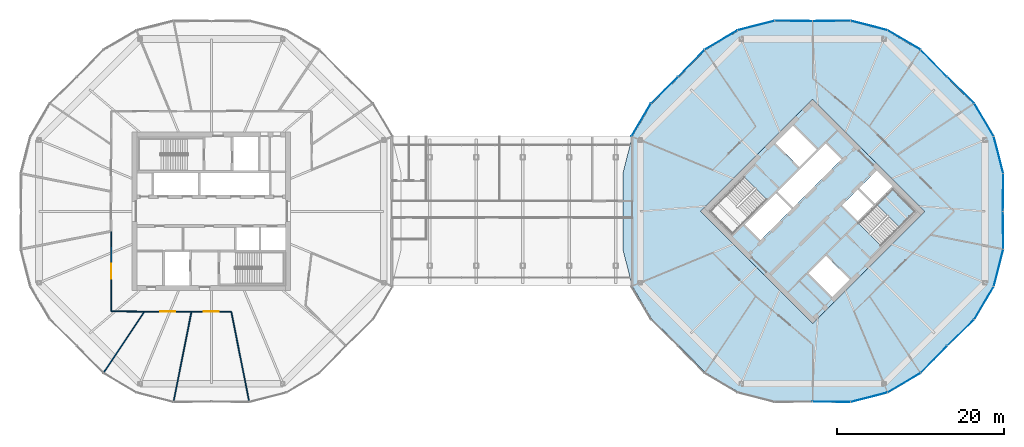
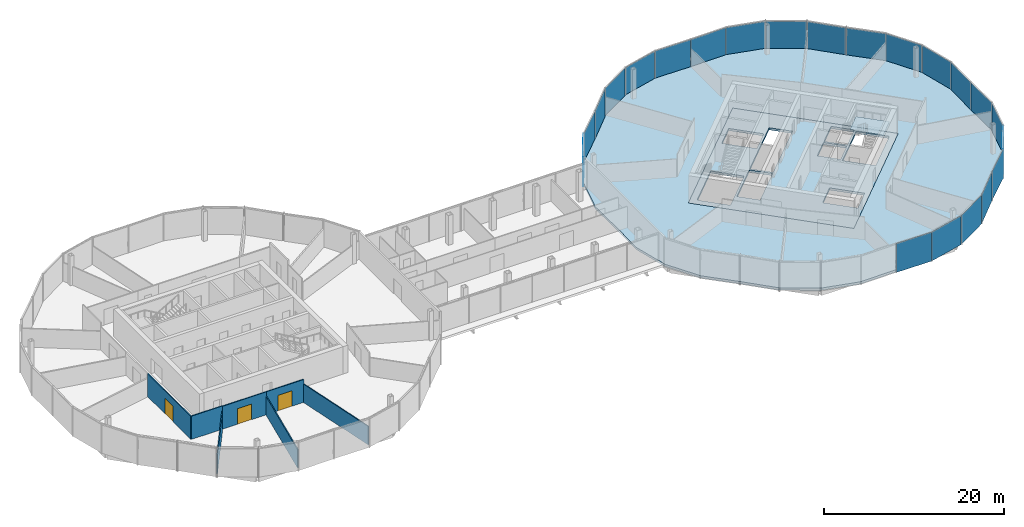
# One storey, part 18 of 25: 22 plates, 7 walls, 3 doors, 3 slabs, 3 openings, 7 elements without a shape of their own.
"""IFC4 building model written with IfcOpenShell, lengths in metres."""

from ifc_helpers import new_model, si_unit, direction, frame, frame_2d, origin, origin_2d, place, context, subcontext, project, spatial, polyline, rectangle, outline, extrude, material, layer, layer_set, type_object, element, fill, aggregate, save


model = new_model("IFC4")

# Units and contexts
model_context = context("Model", 3, precision=1e-05, world=origin(), true_north=direction((0.0, 1.0)))
body_context = subcontext(model_context, "Body", "Model", "MODEL_VIEW")
ifc_project = project(units=[si_unit("LENGTHUNIT", "METRE"), si_unit("AREAUNIT", "SQUARE_METRE"), si_unit("VOLUMEUNIT", "CUBIC_METRE"), si_unit("PLANEANGLEUNIT", "RADIAN"), si_unit("MASSUNIT", "GRAM", prefix="KILO")], contexts=[model_context])

# Site, building, storey
site_placement = place(None, origin())
site = spatial("IfcSite", under=ifc_project, at=site_placement, CompositionType="ELEMENT")
building_placement = place(site_placement, origin())
building = spatial("IfcBuilding", under=site, at=building_placement, Name="Ogive Gate Towers", CompositionType="ELEMENT")
storey_placement = place(building_placement, frame((0.0, 0.0, 140.800048828125)))
storey = spatial("IfcBuildingStorey", under=building, at=storey_placement, Name="L33", CompositionType="ELEMENT", Elevation=140.800048828125)

# Slabs
ifc_material_1 = material(Name="Concrete C40/50", Category="concrete")
ifc_layer_1 = layer(ifc_material_1, 0.300048828125)
ifc_layer_set_1 = layer_set([ifc_layer_1], Name="Core slab C40/50 300 mm")
slab_type_1 = type_object("IfcSlabType", Name="Core slab C40/50 300 mm", PredefinedType="FLOOR", material=ifc_layer_set_1)
slab_1_placement = place(storey_placement, frame((0.0, 0.0, -0.300048828125)))
element("IfcSlab", 1, at=slab_1_placement, inside=storey, type_object=slab_type_1, Name="T2 L33 core slab", PredefinedType="FLOOR", context=body_context, shape_type="SweptSolid", body=[
    extrude(outline(polyline([(36.0, -13.43505859375), (22.56494140625, 0.0), (36.0, 13.43505859375), (49.43505859375, 0.0), (36.0, -13.43505859375)]), holes=[polyline([(29.759765625, -3.482421875), (33.50732421875, 0.26513671875), (31.615966796875, 2.15673828125), (27.868408203125, -1.591064453125), (29.759765625, -3.482421875)]), polyline([(31.792724609375, 2.33349609375), (33.68408203125, 0.44189453125), (39.482421875, 6.240234375), (37.591064453125, 8.131591796875), (31.792724609375, 2.33349609375)]), polyline([(41.3916015625, 2.634033203125), (39.517822265625, 0.760009765625), (41.409423828125, -1.13134765625), (43.283203125, 0.742431640625), (41.3916015625, 2.634033203125)]), polyline([(45.563720703125, 3.02294921875), (43.672119140625, 4.914306640625), (41.568603515625, 2.810791015625), (43.4599609375, 0.919189453125), (45.563720703125, 3.02294921875)]), polyline([(34.408935546875, 5.30322265625), (36.4951171875, 7.389404296875), (33.64892578125, 10.2353515625), (31.56298828125, 8.1494140625), (34.408935546875, 5.30322265625)]), polyline([(35.5048828125, -7.389404296875), (38.35107421875, -10.2353515625), (40.43701171875, -8.1494140625), (37.591064453125, -5.30322265625), (35.5048828125, -7.389404296875)]), polyline([(26.40087890625, -2.70458984375), (30.512939453125, 1.406982421875), (27.80810546875, 4.11181640625), (23.6962890625, 0.0), (26.40087890625, -2.70458984375)]), polyline([(48.3037109375, 0.0), (45.59912109375, 2.70458984375), (41.487060546875, -1.406982421875), (44.19189453125, -4.11181640625), (48.3037109375, 0.0)])]), origin(), (0.0, 0.0, 1.0), 0.300048828125),
])
ifc_material_2 = material(Name="Concrete C35/45", Category="concrete")
ifc_layer_2 = layer(ifc_material_2, 0.300048828125)
ifc_layer_set_2 = layer_set([ifc_layer_2], Name="Floor slab 300")
slab_type_2 = type_object("IfcSlabType", Name="Floor slab 300", PredefinedType="FLOOR", material=ifc_layer_set_2)
slab_2_placement = place(storey_placement, frame((0.0, 0.0, -0.300048828125)))
element("IfcSlab", 2, at=slab_2_placement, inside=storey, type_object=slab_type_2, Name="T2/L33/SSL001", PredefinedType="FLOOR", context=body_context, shape_type="SweptSolid", body=[
    extrude(outline(polyline([(58.734619140625, -4.522216796875), (58.679931640625, 0.0), (58.734619140625, 4.522216796875), (57.600341796875, 8.947021484375), (55.2734375, 12.878173828125), (52.037109375, 16.037109375), (48.878173828125, 19.2734375), (44.947021484375, 21.600341796875), (40.522216796875, 22.734619140625), (36.0, 22.679931640625), (31.477783203125, 22.734619140625), (27.052978515625, 21.600341796875), (23.121826171875, 19.2734375), (19.962890625, 16.037109375), (16.7265625, 12.878173828125), (14.399658203125, 8.947021484375), (13.265380859375, 4.522216796875), (13.320068359375, 0.0), (13.265380859375, -4.522216796875), (14.399658203125, -8.947021484375), (16.7265625, -12.878173828125), (19.962890625, -16.037109375), (23.121826171875, -19.2734375), (27.052978515625, -21.600341796875), (31.477783203125, -22.734619140625), (36.0, -22.679931640625), (40.522216796875, -22.734619140625), (44.947021484375, -21.600341796875), (48.878173828125, -19.2734375), (52.037109375, -16.037109375), (55.2734375, -12.878173828125), (57.600341796875, -8.947021484375), (58.734619140625, -4.522216796875)]), holes=[polyline([(49.43505859375, 0.0), (36.0, -13.43505859375), (22.56494140625, 0.0), (36.0, 13.43505859375), (49.43505859375, 0.0)])]), origin(), (0.0, 0.0, 1.0), 0.300048828125),
])

# Stair, slab
stair_type = type_object("IfcStairType", Name="Escape stair 1840 wide", PredefinedType="HALF_TURN_STAIR", material=ifc_material_1)
stair_placement = place(storey_placement, origin())
stair = element("IfcStair", 3, at=stair_placement, inside=storey, type_object=stair_type, Name="L33 Escape stair 2", PredefinedType="HALF_TURN_STAIR")
ifc_layer_3 = layer(ifc_material_1, 0.199951171875)
ifc_layer_set_3 = layer_set([ifc_layer_3], Name="Stair landing 200 mm")
slab_type_3 = type_object("IfcSlabType", Name="Stair landing 200 mm", PredefinedType="LANDING", material=ifc_layer_set_3)
slab_3_placement = place(storey_placement, frame((0.0, 0.0, 1.800048828125)))
slab_3 = element("IfcSlab", 4, at=slab_3_placement, type_object=slab_type_3, Name="ST2 landing 1", PredefinedType="LANDING", context=body_context, shape_type="SweptSolid", body=[
    extrude(outline(polyline([(46.413818359375, -1.8896484375), (48.3037109375, 0.0), (45.598876953125, 2.70458984375), (43.709228515625, 0.81494140625), (46.413818359375, -1.8896484375)])), origin(), (0.0, 0.0, 1.0), 0.199951171875),
])
aggregate(stair, [slab_3])

# Curtain wall, plates
ifc_material_3 = material(Name="Pale metal aluminium", Category="aluminium")
curtain_wall_type = type_object("IfcCurtainWallType", Name="Tower unitised wall, high zone", PredefinedType="NOTDEFINED", material=ifc_material_3)
curtain_wall_1_placement = place(storey_placement, origin())
curtain_wall_1 = element("IfcCurtainWall", 5, at=curtain_wall_1_placement, inside=storey, type_object=curtain_wall_type, Name="CW2 T2 ECW01", PredefinedType="NOTDEFINED")
ifc_material_4 = material(Name="Clear glass", Category="glass")
ifc_layer_4 = layer(ifc_material_4, 0.028076171875)
ifc_layer_set_4 = layer_set([ifc_layer_4], Name="Tower unitised wall, high zone glass panel")
plate_type = type_object("IfcPlateType", Name="Tower unitised wall, high zone glass panel", PredefinedType="CURTAIN_PANEL", material=ifc_layer_set_4)
plate_1_placement = place(storey_placement, frame((58.807373046875, 2.26513671875, -0.30029296875), z_axis=(0.0, 0.0, 1.0), x_axis=(0.012077384797, 0.999927065729, 0.0)))
plate_1 = element("IfcPlate", 6, at=plate_1_placement, type_object=plate_type, Name="CW2 glass panel", PredefinedType="CURTAIN_PANEL", context=body_context, shape_type="SweptSolid", body=[
    extrude(rectangle(XDim=4.476806640625, YDim=0.028076171875, at=origin_2d()), origin(), (0.0, 0.0, 1.0), 3.904052734375),
])
plate_2_placement = place(storey_placement, frame((58.26416015625, 6.760009765625, -0.30029296875), z_axis=(0.0, 0.0, 1.0), x_axis=(-0.248334866199, 0.968674245673, 0.0)))
plate_2 = element("IfcPlate", 7, at=plate_2_placement, type_object=plate_type, Name="CW2 glass panel", PredefinedType="CURTAIN_PANEL", context=body_context, shape_type="SweptSolid", body=[
    extrude(rectangle(XDim=4.53369140625, YDim=0.028076171875, at=origin_2d()), origin(), (0.0, 0.0, 1.0), 3.904052734375),
])
plate_3_placement = place(storey_placement, frame((56.523193359375, 10.963134765625, -0.30029296875), z_axis=(0.0, 0.0, 1.0), x_axis=(-0.509371879429, 0.860546505685, 0.0)))
plate_3 = element("IfcPlate", 8, at=plate_3_placement, type_object=plate_type, Name="CW2 glass panel", PredefinedType="CURTAIN_PANEL", context=body_context, shape_type="SweptSolid", body=[
    extrude(rectangle(XDim=4.53369140625, YDim=0.028076171875, at=origin_2d()), origin(), (0.0, 0.0, 1.0), 3.904052734375),
])
plate_4_placement = place(storey_placement, frame((53.72900390625, 14.525390625, -0.30029296875), z_axis=(0.0, 0.0, 1.0), x_axis=(-0.715595209557, 0.69851520818, 0.0)))
plate_4 = element("IfcPlate", 9, at=plate_4_placement, type_object=plate_type, Name="CW2 glass panel", PredefinedType="CURTAIN_PANEL", context=body_context, shape_type="SweptSolid", body=[
    extrude(rectangle(XDim=4.476806640625, YDim=0.028076171875, at=origin_2d()), origin(), (0.0, 0.0, 1.0), 3.904052734375),
])
aggregate(curtain_wall_1, [plate_1, plate_2, plate_3, plate_4])

curtain_wall_2_placement = place(storey_placement, origin())
curtain_wall_2 = element("IfcCurtainWall", 10, at=curtain_wall_2_placement, inside=storey, type_object=curtain_wall_type, Name="CW2 T2 ECW02", PredefinedType="NOTDEFINED")
plate_5_placement = place(storey_placement, frame((50.525390625, 17.72900390625, -0.30029296875), z_axis=(0.0, 0.0, 1.0), x_axis=(-0.69851520818, 0.715595209557, 0.0)))
plate_5 = element("IfcPlate", 11, at=plate_5_placement, type_object=plate_type, Name="CW2 glass panel", PredefinedType="CURTAIN_PANEL", context=body_context, shape_type="SweptSolid", body=[
    extrude(rectangle(XDim=4.476806640625, YDim=0.028076171875, at=origin_2d()), origin(), (0.0, 0.0, 1.0), 3.904052734375),
])
plate_6_placement = place(storey_placement, frame((46.963134765625, 20.523193359375, -0.30029296875), z_axis=(0.0, 0.0, 1.0), x_axis=(-0.860546505685, 0.509371879429, 0.0)))
plate_6 = element("IfcPlate", 12, at=plate_6_placement, type_object=plate_type, Name="CW2 glass panel", PredefinedType="CURTAIN_PANEL", context=body_context, shape_type="SweptSolid", body=[
    extrude(rectangle(XDim=4.53369140625, YDim=0.028076171875, at=origin_2d()), origin(), (0.0, 0.0, 1.0), 3.904052734375),
])
plate_7_placement = place(storey_placement, frame((42.760009765625, 22.26416015625, -0.30029296875), z_axis=(0.0, 0.0, 1.0), x_axis=(-0.968674245673, 0.248334866199, 0.0)))
plate_7 = element("IfcPlate", 13, at=plate_7_placement, type_object=plate_type, Name="CW2 glass panel", PredefinedType="CURTAIN_PANEL", context=body_context, shape_type="SweptSolid", body=[
    extrude(rectangle(XDim=4.53369140625, YDim=0.028076171875, at=origin_2d()), origin(), (0.0, 0.0, 1.0), 3.904052734375),
])
plate_8_placement = place(storey_placement, frame((38.26513671875, 22.807373046875, -0.30029296875), z_axis=(0.0, 0.0, 1.0), x_axis=(-0.999927065729, -0.012077384797, 0.0)))
plate_8 = element("IfcPlate", 14, at=plate_8_placement, type_object=plate_type, Name="CW2 glass panel", PredefinedType="CURTAIN_PANEL", context=body_context, shape_type="SweptSolid", body=[
    extrude(rectangle(XDim=4.476806640625, YDim=0.028076171875, at=origin_2d()), origin(), (0.0, 0.0, 1.0), 3.904052734375),
])
aggregate(curtain_wall_2, [plate_5, plate_6, plate_7, plate_8])

curtain_wall_3_placement = place(storey_placement, origin())
curtain_wall_3 = element("IfcCurtainWall", 15, at=curtain_wall_3_placement, inside=storey, type_object=curtain_wall_type, Name="CW2 T2 ECW03", PredefinedType="NOTDEFINED")
plate_9_placement = place(storey_placement, frame((33.73486328125, 22.807373046875, -0.30029296875), z_axis=(0.0, 0.0, 1.0), x_axis=(-0.999927065729, 0.012077384797, 0.0)))
plate_9 = element("IfcPlate", 16, at=plate_9_placement, type_object=plate_type, Name="CW2 glass panel", PredefinedType="CURTAIN_PANEL", context=body_context, shape_type="SweptSolid", body=[
    extrude(rectangle(XDim=4.476806640625, YDim=0.028076171875, at=origin_2d()), origin(), (0.0, 0.0, 1.0), 3.904052734375),
])
plate_10_placement = place(storey_placement, frame((29.239990234375, 22.26416015625, -0.30029296875), z_axis=(0.0, 0.0, 1.0), x_axis=(-0.968674245673, -0.248334866199, 0.0)))
plate_10 = element("IfcPlate", 17, at=plate_10_placement, type_object=plate_type, Name="CW2 glass panel", PredefinedType="CURTAIN_PANEL", context=body_context, shape_type="SweptSolid", body=[
    extrude(rectangle(XDim=4.53369140625, YDim=0.028076171875, at=origin_2d()), origin(), (0.0, 0.0, 1.0), 3.904052734375),
])
plate_11_placement = place(storey_placement, frame((25.036865234375, 20.523193359375, -0.30029296875), z_axis=(0.0, 0.0, 1.0), x_axis=(-0.860546505685, -0.509371879429, 0.0)))
plate_11 = element("IfcPlate", 18, at=plate_11_placement, type_object=plate_type, Name="CW2 glass panel", PredefinedType="CURTAIN_PANEL", context=body_context, shape_type="SweptSolid", body=[
    extrude(rectangle(XDim=4.53369140625, YDim=0.028076171875, at=origin_2d()), origin(), (0.0, 0.0, 1.0), 3.904052734375),
])
plate_12_placement = place(storey_placement, frame((21.474609375, 17.72900390625, -0.30029296875), z_axis=(0.0, 0.0, 1.0), x_axis=(-0.69851520818, -0.715595209557, 0.0)))
plate_12 = element("IfcPlate", 19, at=plate_12_placement, type_object=plate_type, Name="CW2 glass panel", PredefinedType="CURTAIN_PANEL", context=body_context, shape_type="SweptSolid", body=[
    extrude(rectangle(XDim=4.476806640625, YDim=0.028076171875, at=origin_2d()), origin(), (0.0, 0.0, 1.0), 3.904052734375),
])
aggregate(curtain_wall_3, [plate_9, plate_10, plate_11, plate_12])

curtain_wall_4_placement = place(storey_placement, origin())
curtain_wall_4 = element("IfcCurtainWall", 20, at=curtain_wall_4_placement, inside=storey, type_object=curtain_wall_type, Name="CW2 T2 ECW04", PredefinedType="NOTDEFINED")
plate_13_placement = place(storey_placement, frame((18.27099609375, 14.525390625, -0.30029296875), z_axis=(0.0, 0.0, 1.0), x_axis=(-0.715595209557, -0.69851520818, 0.0)))
plate_13 = element("IfcPlate", 21, at=plate_13_placement, type_object=plate_type, Name="CW2 glass panel", PredefinedType="CURTAIN_PANEL", context=body_context, shape_type="SweptSolid", body=[
    extrude(rectangle(XDim=4.476806640625, YDim=0.028076171875, at=origin_2d()), origin(), (0.0, 0.0, 1.0), 3.904052734375),
])
plate_14_placement = place(storey_placement, frame((15.475830078125, 10.96142578125, -0.30029296875), z_axis=(0.0, 0.0, 1.0), x_axis=(-0.509371879429, -0.860546505685, 0.0)))
plate_14 = element("IfcPlate", 22, at=plate_14_placement, type_object=plate_type, Name="CW2 glass panel", PredefinedType="CURTAIN_PANEL", context=body_context, shape_type="SweptSolid", body=[
    extrude(rectangle(XDim=4.53759765625, YDim=0.028076171875, at=origin_2d()), origin(), (0.0, 0.0, 1.0), 3.904052734375),
])
aggregate(curtain_wall_4, [plate_13, plate_14])

curtain_wall_5_placement = place(storey_placement, origin())
curtain_wall_5 = element("IfcCurtainWall", 23, at=curtain_wall_5_placement, inside=storey, type_object=curtain_wall_type, Name="CW2 T2 ECW07", PredefinedType="NOTDEFINED")
plate_15_placement = place(storey_placement, frame((38.26513671875, -22.807373046875, -0.30029296875), z_axis=(0.0, 0.0, 1.0), x_axis=(0.999927065729, -0.012077384797, 0.0)))
plate_15 = element("IfcPlate", 24, at=plate_15_placement, type_object=plate_type, Name="CW2 glass panel", PredefinedType="CURTAIN_PANEL", context=body_context, shape_type="SweptSolid", body=[
    extrude(rectangle(XDim=4.476806640625, YDim=0.028076171875, at=origin_2d()), origin(), (0.0, 0.0, 1.0), 3.904052734375),
])
plate_16_placement = place(storey_placement, frame((42.760009765625, -22.26416015625, -0.30029296875), z_axis=(0.0, 0.0, 1.0), x_axis=(0.968674245673, 0.248334866199, 0.0)))
plate_16 = element("IfcPlate", 25, at=plate_16_placement, type_object=plate_type, Name="CW2 glass panel", PredefinedType="CURTAIN_PANEL", context=body_context, shape_type="SweptSolid", body=[
    extrude(rectangle(XDim=4.53369140625, YDim=0.028076171875, at=origin_2d()), origin(), (0.0, 0.0, 1.0), 3.904052734375),
])
plate_17_placement = place(storey_placement, frame((46.963134765625, -20.523193359375, -0.30029296875), z_axis=(0.0, 0.0, 1.0), x_axis=(0.860546505685, 0.509371879429, 0.0)))
plate_17 = element("IfcPlate", 26, at=plate_17_placement, type_object=plate_type, Name="CW2 glass panel", PredefinedType="CURTAIN_PANEL", context=body_context, shape_type="SweptSolid", body=[
    extrude(rectangle(XDim=4.53369140625, YDim=0.028076171875, at=origin_2d()), origin(), (0.0, 0.0, 1.0), 3.904052734375),
])
plate_18_placement = place(storey_placement, frame((50.525390625, -17.72900390625, -0.30029296875), z_axis=(0.0, 0.0, 1.0), x_axis=(0.69851520818, 0.715595209557, 0.0)))
plate_18 = element("IfcPlate", 27, at=plate_18_placement, type_object=plate_type, Name="CW2 glass panel", PredefinedType="CURTAIN_PANEL", context=body_context, shape_type="SweptSolid", body=[
    extrude(rectangle(XDim=4.476806640625, YDim=0.028076171875, at=origin_2d()), origin(), (0.0, 0.0, 1.0), 3.904052734375),
])
aggregate(curtain_wall_5, [plate_15, plate_16, plate_17, plate_18])

curtain_wall_6_placement = place(storey_placement, origin())
curtain_wall_6 = element("IfcCurtainWall", 28, at=curtain_wall_6_placement, inside=storey, type_object=curtain_wall_type, Name="CW2 T2 ECW08", PredefinedType="NOTDEFINED")
plate_19_placement = place(storey_placement, frame((53.72900390625, -14.525390625, -0.30029296875), z_axis=(0.0, 0.0, 1.0), x_axis=(0.715595209557, 0.69851520818, 0.0)))
plate_19 = element("IfcPlate", 29, at=plate_19_placement, type_object=plate_type, Name="CW2 glass panel", PredefinedType="CURTAIN_PANEL", context=body_context, shape_type="SweptSolid", body=[
    extrude(rectangle(XDim=4.476806640625, YDim=0.028076171875, at=origin_2d()), origin(), (0.0, 0.0, 1.0), 3.904052734375),
])
plate_20_placement = place(storey_placement, frame((56.523193359375, -10.963134765625, -0.30029296875), z_axis=(0.0, 0.0, 1.0), x_axis=(0.509371879429, 0.860546505685, 0.0)))
plate_20 = element("IfcPlate", 30, at=plate_20_placement, type_object=plate_type, Name="CW2 glass panel", PredefinedType="CURTAIN_PANEL", context=body_context, shape_type="SweptSolid", body=[
    extrude(rectangle(XDim=4.53369140625, YDim=0.028076171875, at=origin_2d()), origin(), (0.0, 0.0, 1.0), 3.904052734375),
])
plate_21_placement = place(storey_placement, frame((58.26416015625, -6.760009765625, -0.30029296875), z_axis=(0.0, 0.0, 1.0), x_axis=(0.248334866199, 0.968674245673, 0.0)))
plate_21 = element("IfcPlate", 31, at=plate_21_placement, type_object=plate_type, Name="CW2 glass panel", PredefinedType="CURTAIN_PANEL", context=body_context, shape_type="SweptSolid", body=[
    extrude(rectangle(XDim=4.53369140625, YDim=0.028076171875, at=origin_2d()), origin(), (0.0, 0.0, 1.0), 3.904052734375),
])
plate_22_placement = place(storey_placement, frame((58.807373046875, -2.26513671875, -0.30029296875), z_axis=(0.0, 0.0, 1.0), x_axis=(-0.012077384797, 0.999927065729, 0.0)))
plate_22 = element("IfcPlate", 32, at=plate_22_placement, type_object=plate_type, Name="CW2 glass panel", PredefinedType="CURTAIN_PANEL", context=body_context, shape_type="SweptSolid", body=[
    extrude(rectangle(XDim=4.476806640625, YDim=0.028076171875, at=origin_2d()), origin(), (0.0, 0.0, 1.0), 3.904052734375),
])
aggregate(curtain_wall_6, [plate_19, plate_20, plate_21, plate_22])

# Walls
ifc_material_5 = material(Name="Gypsum board partition")
ifc_layer_5 = layer(ifc_material_5, 0.125)
ifc_layer_set_5 = layer_set([ifc_layer_5], Name="Partition 125")
wall_type = type_object("IfcWallType", Name="Partition 125", PredefinedType="PARTITIONING", material=ifc_layer_set_5)
wall_1_placement = place(storey_placement, frame((-48.88427734375, -19.268798828125, 0.0), z_axis=(0.0, 0.0, 1.0), x_axis=(0.55584768057, 0.831284160805, 0.0)))
element("IfcWall", 33, at=wall_1_placement, inside=storey, type_object=wall_type, Name="Partition T1-L33-009", PredefinedType="PARTITIONING", context=body_context, shape_type="SweptSolid", body=[
    extrude(rectangle(XDim=8.6865234375, YDim=0.125, at=frame_2d((4.34326171875, 0.0))), origin(), (0.0, 0.0, 1.0), 2.5),
])
for number, where, z_axis, x_axis, name in (
    (34, (-40.514404296875, -22.735595703125, 0.0), (0.0, 0.0, 1.0), (0.194748811052, 0.980853149352, 0.0), "Partition T1-L33-010"),
    (35, (-31.485595703125, -22.735595703125, 0.0), (0.0, 0.0, 1.0), (-0.194748811052, 0.980853149352, 0.0), "Partition T1-L33-011"),
):
    element("IfcWall", number, at=place(storey_placement, frame(where, z_axis=z_axis, x_axis=x_axis)), inside=storey, type_object=wall_type, Name=name, PredefinedType="PARTITIONING", context=body_context, shape_type="SweptSolid", body=[
        extrude(rectangle(XDim=10.886474609375, YDim=0.125, at=frame_2d((5.443359375, 0.0))), origin(), (0.0, 0.0, 1.0), 2.5),
    ])

# Wall, opening, door
wall_2_placement = place(storey_placement, frame((-47.996337890625, -2.382080078125, 0.0), z_axis=(0.0, 0.0, 1.0), x_axis=(0.001704268377, -0.999998547734, 0.0)))
wall_2 = element("IfcWall", 36, at=wall_2_placement, inside=storey, type_object=wall_type, Name="Partition T1-L33-023", PredefinedType="PARTITIONING", context=body_context, shape_type="SweptSolid", body=[
    extrude(rectangle(XDim=9.597900390625, YDim=0.125, at=frame_2d((4.798828125, 0.0))), origin(), (0.0, 0.0, 1.0), 3.099853515625),
])
opening_1_placement = place(wall_2_placement, frame((3.89892578125, 0.0, 0.0)))
opening_1 = element("IfcOpeningElement", 37, at=opening_1_placement, cuts=wall_2, Name="Opening T1-L33-D08", PredefinedType="OPENING", context=body_context, shape_type="SweptSolid", body=[
    extrude(rectangle(XDim=1.800048828125, YDim=2.10009765625, at=frame_2d((0.89990234375, 1.050048828125))), frame((0.0, 0.072509765625, 0.0), z_axis=(0.0, -1.0, 0.0), x_axis=(1.0, 0.0, 0.0)), (0.0, 0.0, 1.0), 0.14501953125),
])
ifc_material_6 = material(Name="Timber door", Category="wood")
door_type = type_object("IfcDoorType", Name="Door pair 1800", OperationType="NOTDEFINED", PredefinedType="DOOR", material=ifc_material_6)
door_1_placement = place(opening_1_placement, origin())
door_1 = element("IfcDoor", 38, at=door_1_placement, inside=storey, type_object=door_type, Name="Door T1-L33-D08", OperationType="DOUBLE_DOOR_DOUBLE_SWING", OverallHeight=2.10009765625, OverallWidth=1.800048828125, PredefinedType="DOOR", context=body_context, shape_type="SweptSolid", body=[
    extrude(rectangle(XDim=1.800048828125, YDim=2.10009765625, at=frame_2d((0.89990234375, 1.050048828125))), frame((0.0, 0.02490234375, 0.0), z_axis=(0.0, -1.0, 0.0), x_axis=(1.0, 0.0, 0.0)), (0.0, 0.0, 1.0), 0.050048828125),
])
fill(opening_1, door_1)

# Wall
wall_3_placement = place(storey_placement, frame((-47.97998046875, -11.97998046875, 0.0), z_axis=(0.0, 0.0, 1.0), x_axis=(0.999991965524, -0.004008601774, 0.0)))
element("IfcWall", 39, at=wall_3_placement, inside=storey, type_object=wall_type, Name="Partition T1-L33-024", PredefinedType="PARTITIONING", context=body_context, shape_type="SweptSolid", body=[
    extrude(rectangle(XDim=3.958740234375, YDim=0.125, at=frame_2d((1.9794921875, 0.0))), origin(), (0.0, 0.0, 1.0), 3.14990234375),
])

# Wall, opening, door
wall_4_placement = place(storey_placement, frame((-44.021240234375, -11.995849609375, 0.0), z_axis=(0.0, 0.0, 1.0), x_axis=(0.999999996251, -8.6587583e-05, 0.0)))
wall_4 = element("IfcWall", 40, at=wall_4_placement, inside=storey, type_object=wall_type, Name="Partition T1-L33-025", PredefinedType="PARTITIONING", context=body_context, shape_type="SweptSolid", body=[
    extrude(rectangle(XDim=5.63916015625, YDim=0.125, at=frame_2d((2.819580078125, 0.0))), origin(), (0.0, 0.0, 1.0), 3.099853515625),
])
opening_2_placement = place(wall_4_placement, frame((1.919921875, 0.0, 0.0)))
opening_2 = element("IfcOpeningElement", 41, at=opening_2_placement, cuts=wall_4, Name="Opening T1-L33-D09", PredefinedType="OPENING", context=body_context, shape_type="SweptSolid", body=[
    extrude(rectangle(XDim=1.800048828125, YDim=2.10009765625, at=frame_2d((0.89990234375, 1.050048828125))), frame((0.0, 0.072509765625, 0.0), z_axis=(0.0, -1.0, 0.0), x_axis=(1.0, 0.0, 0.0)), (0.0, 0.0, 1.0), 0.14501953125),
])
door_2_placement = place(opening_2_placement, origin())
door_2 = element("IfcDoor", 42, at=door_2_placement, inside=storey, type_object=door_type, Name="Door T1-L33-D09", OperationType="DOUBLE_DOOR_DOUBLE_SWING", OverallHeight=2.10009765625, OverallWidth=1.800048828125, PredefinedType="DOOR", context=body_context, shape_type="SweptSolid", body=[
    extrude(rectangle(XDim=1.800048828125, YDim=2.10009765625, at=frame_2d((0.89990234375, 1.050048828125))), frame((0.0, 0.02490234375, 0.0), z_axis=(0.0, -1.0, 0.0), x_axis=(1.0, 0.0, 0.0)), (0.0, 0.0, 1.0), 0.050048828125),
])
fill(opening_2, door_2)

wall_5_placement = place(storey_placement, frame((-38.382080078125, -11.996337890625, 0.0), z_axis=(0.0, 0.0, 1.0), x_axis=(1.0, 0.0, 0.0)))
wall_5 = element("IfcWall", 43, at=wall_5_placement, inside=storey, type_object=wall_type, Name="Partition T1-L33-026", PredefinedType="PARTITIONING", context=body_context, shape_type="SweptSolid", body=[
    extrude(rectangle(XDim=4.76416015625, YDim=0.125, at=frame_2d((2.382080078125, 0.0))), origin(), (0.0, 0.0, 1.0), 3.099853515625),
])
opening_3_placement = place(wall_5_placement, frame((1.48193359375, 0.0, 0.0)))
opening_3 = element("IfcOpeningElement", 44, at=opening_3_placement, cuts=wall_5, Name="Opening T1-L33-D10", PredefinedType="OPENING", context=body_context, shape_type="SweptSolid", body=[
    extrude(rectangle(XDim=1.800048828125, YDim=2.10009765625, at=frame_2d((0.89990234375, 1.050048828125))), frame((0.0, 0.072509765625, 0.0), z_axis=(0.0, -1.0, 0.0), x_axis=(1.0, 0.0, 0.0)), (0.0, 0.0, 1.0), 0.14501953125),
])
door_3_placement = place(opening_3_placement, origin())
door_3 = element("IfcDoor", 45, at=door_3_placement, inside=storey, type_object=door_type, Name="Door T1-L33-D10", OperationType="DOUBLE_DOOR_DOUBLE_SWING", OverallHeight=2.10009765625, OverallWidth=1.800048828125, PredefinedType="DOOR", context=body_context, shape_type="SweptSolid", body=[
    extrude(rectangle(XDim=1.800048828125, YDim=2.10009765625, at=frame_2d((0.89990234375, 1.050048828125))), frame((0.0, 0.02490234375, 0.0), z_axis=(0.0, -1.0, 0.0), x_axis=(1.0, 0.0, 0.0)), (0.0, 0.0, 1.0), 0.050048828125),
])
fill(opening_3, door_3)

save(model, "model.ifc")
